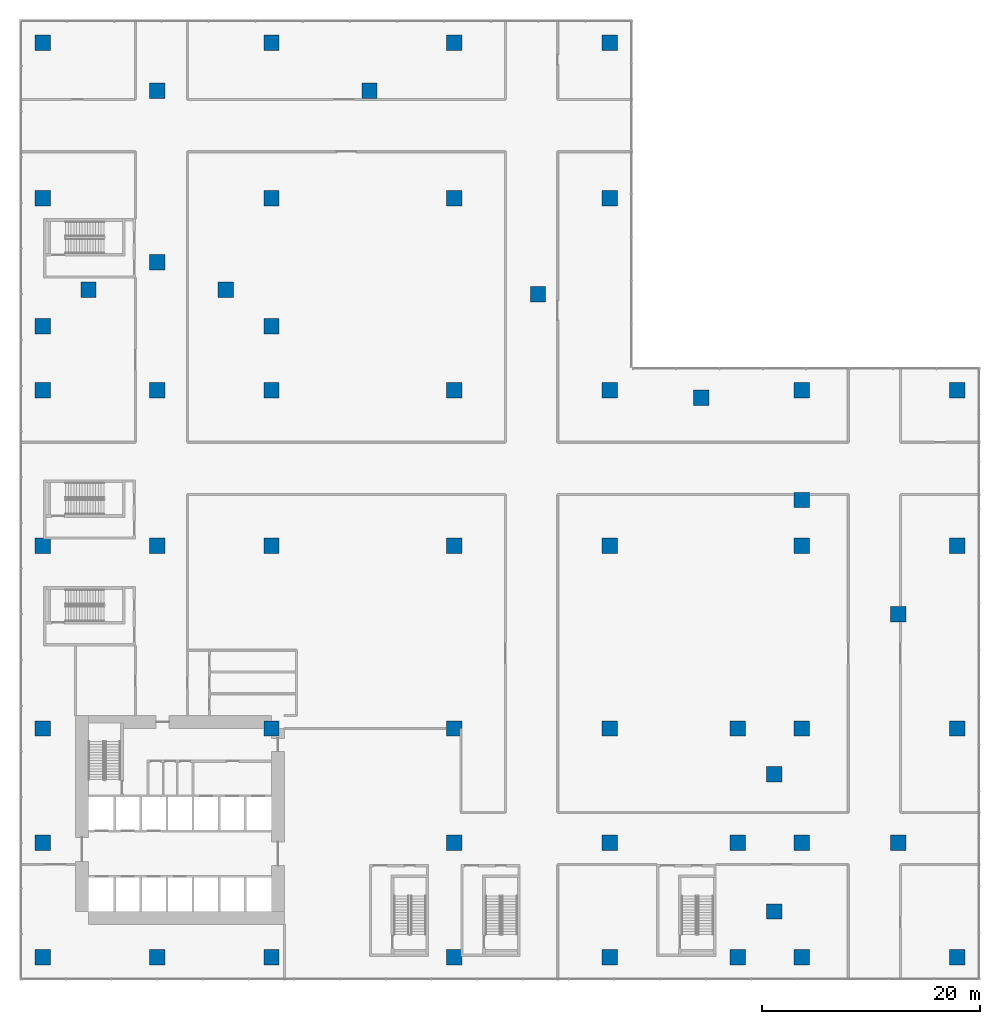
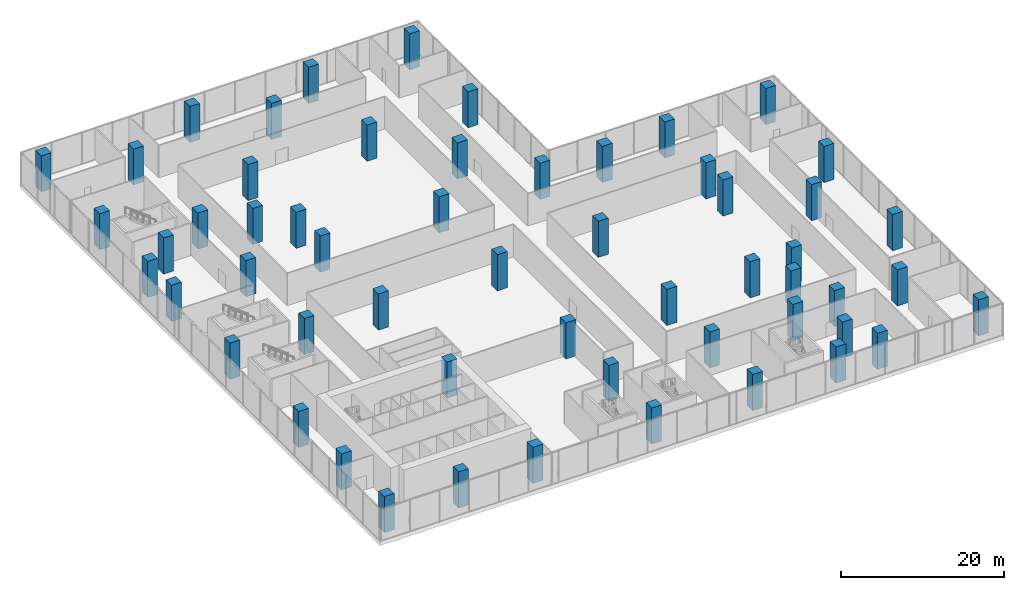
# One storey, part 1 of 22: 56 columns.
"""IFC4 building model written with IfcOpenShell, lengths in metres."""

from ifc_helpers import new_model, si_unit, direction, frame, origin, origin_with_axes, origin_2d, place, context, subcontext, project, spatial, rectangle, extrude, source, transform, mapped, material, material_profile, profile_set, type_object, element, save


model = new_model("IFC4")

# Units and contexts
model_context = context("Model", 3, precision=1e-05, world=origin(), true_north=direction((0.0, 1.0)))
body_context = subcontext(model_context, "Body", "Model", "MODEL_VIEW")
ifc_project = project(units=[si_unit("LENGTHUNIT", "METRE"), si_unit("AREAUNIT", "SQUARE_METRE"), si_unit("VOLUMEUNIT", "CUBIC_METRE"), si_unit("PLANEANGLEUNIT", "RADIAN"), si_unit("MASSUNIT", "GRAM", prefix="KILO")], contexts=[model_context])

# Site, building, storey
site_placement = place(None, origin())
site = spatial("IfcSite", under=ifc_project, at=site_placement, CompositionType="ELEMENT")
building_placement = place(site_placement, origin())
building = spatial("IfcBuilding", under=site, at=building_placement, Name="Aurelian Terraces", CompositionType="ELEMENT")
storey_placement = place(building_placement, frame((0.0, 0.0, 7.5)))
storey = spatial("IfcBuildingStorey", under=building, at=storey_placement, Name="L01", CompositionType="ELEMENT", Elevation=7.5)

# Columns
ifc_material = material(Name="Concrete fc' 83 MPa", Category="concrete")
ifc_material_profile = material_profile(ifc_material, rectangle(XDim=1.4, YDim=1.4, at=origin_2d()))
ifc_profile_set = profile_set([ifc_material_profile], Name="Concrete fc' 83 MPa")
column_type = type_object("IfcColumnType", Name="RC COLUMN 1400X1400 FC83", PredefinedType="COLUMN", material=ifc_profile_set)
column_placement = place(storey_placement, origin_with_axes())
element("IfcColumn", 1, at=column_placement, inside=storey, type_object=column_type, Name="Column 1/A L01", PredefinedType="COLUMN", context=body_context, shape_type="SweptSolid", body=[
    extrude(rectangle(XDim=1.4, YDim=1.4, at=origin_2d()), origin(), (0.0, 0.0, 1.0), 5.4),
])
shared_shape = source(origin(), body_context, "Body", "SweptSolid", [
    extrude(rectangle(XDim=1.4, YDim=1.4, at=origin_2d()), origin(), (0.0, 0.0, 1.0), 5.4),
])
for number, where, z_axis, x_axis, name in (
    (2, (0.0, 10.5, 0.0), (0.0, 0.0, 1.0), (1.0, 0.0, 0.0), "Column 1/B L01"),
    (3, (0.0, 21.0, 0.0), (0.0, 0.0, 1.0), (1.0, 0.0, 0.0), "Column 1/C L01"),
    (4, (0.0, 37.8, 0.0), (0.0, 0.0, 1.0), (1.0, 0.0, 0.0), "Column 1/E L01"),
    (5, (0.0, 52.08, 0.0), (0.0, 0.0, 1.0), (1.0, 0.0, 0.0), "Column 1/G L01"),
    (6, (0.0, 57.96, 0.0), (0.0, 0.0, 1.0), (1.0, 0.0, 0.0), "Column 1/H L01"),
    (7, (0.0, 69.72, 0.0), (0.0, 0.0, 1.0), (1.0, 0.0, 0.0), "Column 1/J L01"),
    (8, (0.0, 84.0, 0.0), (0.0, 0.0, 1.0), (1.0, 0.0, 0.0), "Column 1/K L01"),
    (9, (4.2, 61.32, 0.0), (0.0, 0.0, 1.0), (1.0, 0.0, 0.0), "Column 4.20/61.32 L01"),
    (10, (10.5, 0.0, 0.0), (0.0, 0.0, 1.0), (1.0, 0.0, 0.0), "Column 2/A L01"),
    (11, (10.5, 37.8, 0.0), (0.0, 0.0, 1.0), (1.0, 0.0, 0.0), "Column 2/E L01"),
    (12, (10.5, 52.08, 0.0), (0.0, 0.0, 1.0), (1.0, 0.0, 0.0), "Column 2/G L01"),
    (13, (10.5, 63.84, 0.0), (0.0, 0.0, 1.0), (1.0, 0.0, 0.0), "Column 2/I L01"),
    (14, (10.5, 79.6, 0.0), (0.0, 0.0, 1.0), (1.0, 0.0, 0.0), "Column 10.50/79.60 L01"),
    (15, (16.8, 61.32, 0.0), (0.0, 0.0, 1.0), (1.0, 0.0, 0.0), "Column 16.80/61.32 L01"),
    (16, (21.0, 0.0, 0.0), (0.0, 0.0, 1.0), (1.0, 0.0, 0.0), "Column 3/A L01"),
    (17, (21.0, 21.0, 0.0), (0.0, 0.0, 1.0), (1.0, 0.0, 0.0), "Column 3/C L01"),
    (18, (21.0, 37.8, 0.0), (0.0, 0.0, 1.0), (1.0, 0.0, 0.0), "Column 3/E L01"),
    (19, (21.0, 52.08, 0.0), (0.0, 0.0, 1.0), (1.0, 0.0, 0.0), "Column 3/G L01"),
    (20, (21.0, 57.96, 0.0), (0.0, 0.0, 1.0), (1.0, 0.0, 0.0), "Column 3/H L01"),
    (21, (21.0, 69.72, 0.0), (0.0, 0.0, 1.0), (1.0, 0.0, 0.0), "Column 3/J L01"),
    (22, (21.0, 84.0, 0.0), (0.0, 0.0, 1.0), (1.0, 0.0, 0.0), "Column 3/K L01"),
    (23, (30.0, 79.6, 0.0), (0.0, 0.0, 1.0), (1.0, 0.0, 0.0), "Column 30.00/79.60 L01"),
    (24, (37.8, 0.0, 0.0), (0.0, 0.0, 1.0), (1.0, 0.0, 0.0), "Column 5/A L01"),
    (25, (37.8, 10.5, 0.0), (0.0, 0.0, 1.0), (1.0, 0.0, 0.0), "Column 5/B L01"),
    (26, (37.8, 21.0, 0.0), (0.0, 0.0, 1.0), (1.0, 0.0, 0.0), "Column 5/C L01"),
    (27, (37.8, 37.8, 0.0), (0.0, 0.0, 1.0), (1.0, 0.0, 0.0), "Column 5/E L01"),
    (28, (37.8, 52.08, 0.0), (0.0, 0.0, 1.0), (1.0, 0.0, 0.0), "Column 5/G L01"),
    (29, (37.8, 69.72, 0.0), (0.0, 0.0, 1.0), (1.0, 0.0, 0.0), "Column 5/J L01"),
    (30, (37.8, 84.0, 0.0), (0.0, 0.0, 1.0), (1.0, 0.0, 0.0), "Column 5/K L01"),
    (31, (45.5, 60.9, 0.0), (0.0, 0.0, 1.0), (1.0, 0.0, 0.0), "Column 45.50/60.90 L01"),
    (32, (52.08, 0.0, 0.0), (0.0, 0.0, 1.0), (1.0, 0.0, 0.0), "Column 7/A L01"),
    (33, (52.08, 10.5, 0.0), (0.0, 0.0, 1.0), (1.0, 0.0, 0.0), "Column 7/B L01"),
    (34, (52.08, 21.0, 0.0), (0.0, 0.0, 1.0), (1.0, 0.0, 0.0), "Column 7/C L01"),
    (35, (52.08, 37.8, 0.0), (0.0, 0.0, 1.0), (1.0, 0.0, 0.0), "Column 7/E L01"),
    (36, (52.08, 52.08, 0.0), (0.0, 0.0, 1.0), (1.0, 0.0, 0.0), "Column 7/G L01"),
    (37, (52.08, 69.72, 0.0), (0.0, 0.0, 1.0), (1.0, 0.0, 0.0), "Column 7/J L01"),
    (38, (52.08, 84.0, 0.0), (0.0, 0.0, 1.0), (1.0, 0.0, 0.0), "Column 7/K L01"),
    (39, (60.5, 51.4, 0.0), (0.0, 0.0, 1.0), (1.0, 0.0, 0.0), "Column 60.50/51.40 L01"),
    (40, (63.84, 0.0, 0.0), (0.0, 0.0, 1.0), (1.0, 0.0, 0.0), "Column 9/A L01"),
    (41, (63.84, 10.5, 0.0), (0.0, 0.0, 1.0), (1.0, 0.0, 0.0), "Column 9/B L01"),
    (42, (63.84, 21.0, 0.0), (0.0, 0.0, 1.0), (1.0, 0.0, 0.0), "Column 9/C L01"),
    (43, (67.2, 4.2, 0.0), (0.0, 0.0, 1.0), (1.0, 0.0, 0.0), "Column 67.20/4.20 L01"),
    (44, (67.2, 16.8, 0.0), (0.0, 0.0, 1.0), (1.0, 0.0, 0.0), "Column 67.20/16.80 L01"),
    (45, (69.72, 0.0, 0.0), (0.0, 0.0, 1.0), (1.0, 0.0, 0.0), "Column 10/A L01"),
    (46, (69.72, 10.5, 0.0), (0.0, 0.0, 1.0), (1.0, 0.0, 0.0), "Column 10/B L01"),
    (47, (69.72, 21.0, 0.0), (0.0, 0.0, 1.0), (1.0, 0.0, 0.0), "Column 10/C L01"),
    (48, (69.72, 37.8, 0.0), (0.0, 0.0, 1.0), (1.0, 0.0, 0.0), "Column 10/E L01"),
    (49, (69.72, 42.0, 0.0), (0.0, 0.0, 1.0), (1.0, 0.0, 0.0), "Column 69.72/42.00 L01"),
    (50, (69.72, 52.08, 0.0), (0.0, 0.0, 1.0), (1.0, 0.0, 0.0), "Column 10/G L01"),
    (51, (78.6, 10.5, 0.0), (0.0, 0.0, 1.0), (1.0, 0.0, 0.0), "Column 78.60/10.50 L01"),
    (52, (78.6, 31.5, 0.0), (0.0, 0.0, 1.0), (1.0, 0.0, 0.0), "Column 78.60/31.50 L01"),
    (53, (84.0, 0.0, 0.0), (0.0, 0.0, 1.0), (1.0, 0.0, 0.0), "Column 11/A L01"),
    (54, (84.0, 21.0, 0.0), (0.0, 0.0, 1.0), (1.0, 0.0, 0.0), "Column 11/C L01"),
    (55, (84.0, 37.8, 0.0), (0.0, 0.0, 1.0), (1.0, 0.0, 0.0), "Column 11/E L01"),
    (56, (84.0, 52.08, 0.0), (0.0, 0.0, 1.0), (1.0, 0.0, 0.0), "Column 11/G L01"),
):
    element("IfcColumn", number, at=place(storey_placement, frame(where, z_axis=z_axis, x_axis=x_axis)), inside=storey, type_object=column_type, Name=name, PredefinedType="COLUMN", context=body_context, shape_type="MappedRepresentation", body=[
        mapped(shared_shape, transform((0.0, 0.0, 0.0), scale=1.0)),
    ])

save(model, "model.ifc")
